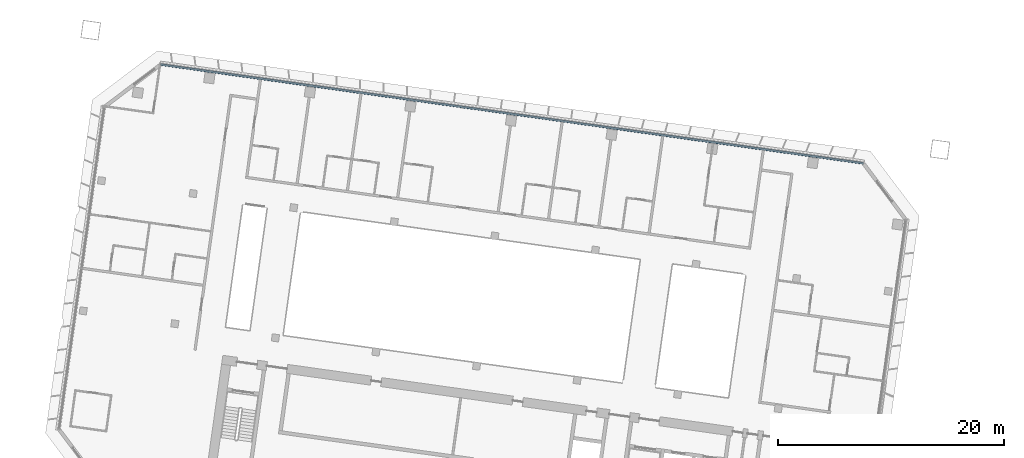
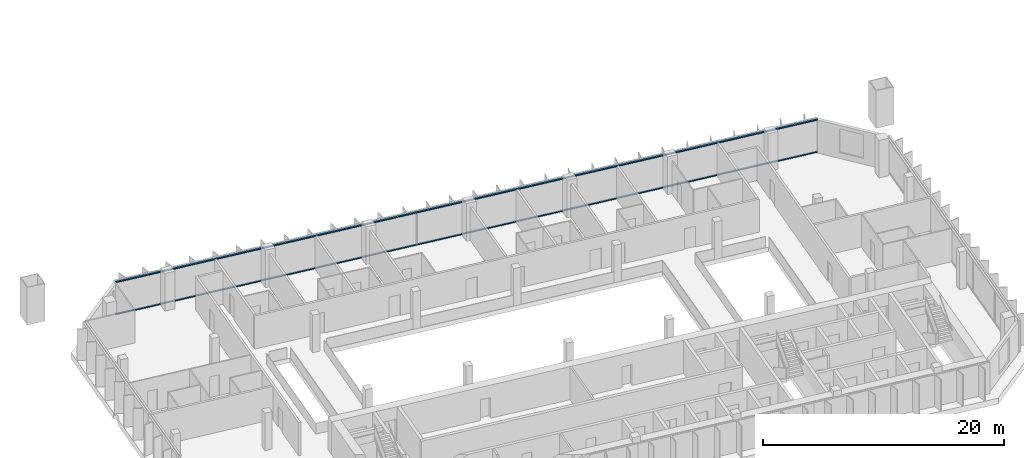
# One storey, part 4 of 25: 2 members, 1 element without a shape of its own.
"""IFC4 building model written with IfcOpenShell, lengths in metres."""

from ifc_helpers import new_model, si_unit, direction, frame, origin, origin_2d, place, context, subcontext, project, spatial, rectangle, extrude, material, material_profile, profile_set, type_object, element, aggregate, save


model = new_model("IFC4")

# Units and contexts
model_context = context("Model", 3, precision=1e-05, world=origin(), true_north=direction((0.0, 1.0)))
body_context = subcontext(model_context, "Body", "Model", "MODEL_VIEW")
ifc_project = project(units=[si_unit("LENGTHUNIT", "METRE"), si_unit("AREAUNIT", "SQUARE_METRE"), si_unit("VOLUMEUNIT", "CUBIC_METRE"), si_unit("PLANEANGLEUNIT", "RADIAN"), si_unit("MASSUNIT", "GRAM", prefix="KILO")], contexts=[model_context])

# Site, building, storey
site_placement = place(None, origin())
site = spatial("IfcSite", under=ifc_project, at=site_placement, CompositionType="ELEMENT")
building_placement = place(site_placement, origin())
building = spatial("IfcBuilding", under=site, at=building_placement, Name="Mirante Cascada Hotel Towers", CompositionType="ELEMENT")
storey_placement = place(building_placement, frame((0.0, 0.0, 136.7)))
storey = spatial("IfcBuildingStorey", under=building, at=storey_placement, Name="L31", CompositionType="ELEMENT", Elevation=136.7)

# Curtain wall, members
ifc_material_1 = material(Name="Aluminium mullion and transom frame with clear laminated glass", Category="aluminium")
curtain_wall_type = type_object("IfcCurtainWallType", Name="Ribbon curtain wall ECW1", PredefinedType="NOTDEFINED", material=ifc_material_1)
curtain_wall_placement = place(storey_placement, origin())
curtain_wall = element("IfcCurtainWall", 1, at=curtain_wall_placement, inside=storey, type_object=curtain_wall_type, Name="Front ribbon wall T1 L31", PredefinedType="NOTDEFINED")
ifc_material_2 = material(Name="Anodised aluminium extrusion", Category="aluminium")
ifc_material_profile = material_profile(ifc_material_2, rectangle(XDim=0.16, YDim=0.1, at=origin_2d()), Name="ECW1 TRANSOM 100x160")
ifc_profile_set = profile_set([ifc_material_profile], Name="Anodised aluminium extrusion")
member_type = type_object("IfcMemberType", Name="ECW1 transom 100x160", PredefinedType="USERDEFINED", material=ifc_profile_set)
member_1_placement = place(storey_placement, frame((-94.1582, 26.0521, 0.05), z_axis=(0.9902681, -0.1391728, 0.0), x_axis=(0.1391728, 0.9902681, 0.0)))
member_1 = element("IfcMember", 2, at=member_1_placement, type_object=member_type, Name="ECW1 sill transom", ObjectType="TRANSOM", PredefinedType="USERDEFINED", context=body_context, shape_type="SweptSolid", body=[
    extrude(rectangle(XDim=0.16, YDim=0.1, at=origin_2d()), origin(), (0.0, 0.0, 1.0), 62.8758),
])
member_2_placement = place(storey_placement, frame((-94.1582, 26.0521, 3.3), z_axis=(0.9902681, -0.1391728, 0.0), x_axis=(0.1391728, 0.9902681, 0.0)))
member_2 = element("IfcMember", 3, at=member_2_placement, type_object=member_type, Name="ECW1 head transom", ObjectType="TRANSOM", PredefinedType="USERDEFINED", context=body_context, shape_type="SweptSolid", body=[
    extrude(rectangle(XDim=0.16, YDim=0.1, at=origin_2d()), origin(), (0.0, 0.0, 1.0), 62.8758),
])
aggregate(curtain_wall, [member_1, member_2])

save(model, "model.ifc")
